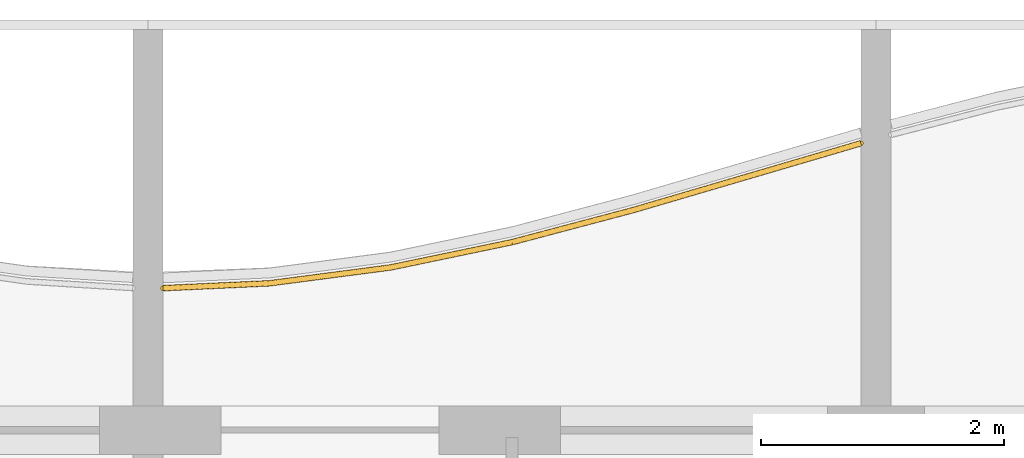
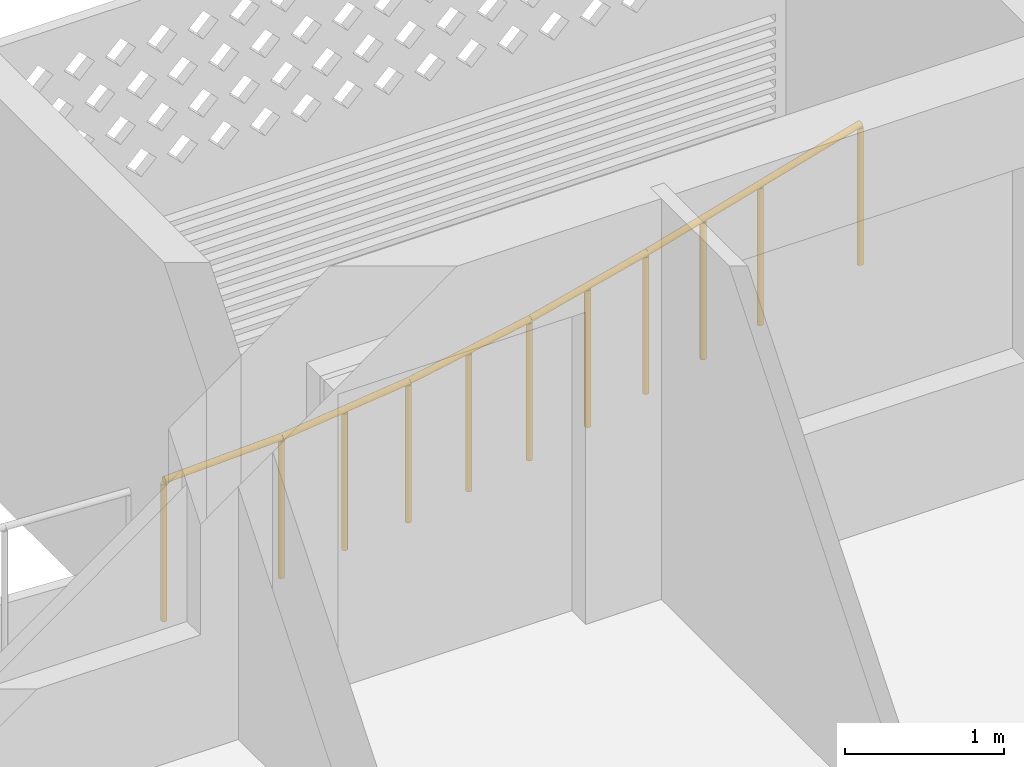
# One storey, part 25 of 28: 1 railing.
"""IFC4 building model written with IfcOpenShell, lengths in metres."""

from ifc_helpers import new_model, si_unit, direction, frame, origin, origin_2d, place, context, subcontext, project, spatial, circle, extrude, material, type_object, element, save


model = new_model("IFC4")

# Units and contexts
model_context = context("Model", 3, precision=1e-05, world=origin(), true_north=direction((0.0, 1.0)))
body_context = subcontext(model_context, "Body", "Model", "MODEL_VIEW")
ifc_project = project(units=[si_unit("LENGTHUNIT", "METRE"), si_unit("AREAUNIT", "SQUARE_METRE"), si_unit("VOLUMEUNIT", "CUBIC_METRE"), si_unit("PLANEANGLEUNIT", "RADIAN"), si_unit("MASSUNIT", "GRAM", prefix="KILO")], contexts=[model_context])

# Site, building, storey
site_placement = place(None, origin())
site = spatial("IfcSite", under=ifc_project, at=site_placement, CompositionType="ELEMENT")
building_placement = place(site_placement, origin())
building = spatial("IfcBuilding", under=site, at=building_placement, Name="Poui Terraces", CompositionType="ELEMENT")
storey_placement = place(building_placement, frame((0.0, 0.0, 188.39990234375)))
storey = spatial("IfcBuildingStorey", under=building, at=storey_placement, Name="L52", CompositionType="ELEMENT", Elevation=188.39990234375)

# Railing
ifc_material = material(Name="Painted steel fretwork", Category="steel")
railing_type = type_object("IfcRailingType", Name="BALCONY GUARD 1100", PredefinedType="GUARDRAIL", material=ifc_material)
railing_placement = place(storey_placement, frame((66.125, 42.3701171875, 0.0)))
element("IfcRailing", 1, at=railing_placement, inside=storey, type_object=railing_type, Name="BALCONY GUARD", PredefinedType="GUARDRAIL", context=body_context, shape_type="SweptSolid", body=[
    extrude(circle(Radius=0.02392578125, at=origin_2d()), frame((0.0, 0.0, 1.076171875), z_axis=(0.998954701489, 0.045711096832, 0.0), x_axis=(-0.045711096832, 0.998954701489, 0.0)), (0.0, 0.0, 1.0), 0.8759765625),
    extrude(circle(Radius=0.02392578125, at=origin_2d()), frame((0.875, 0.0400390625, 1.076171875), z_axis=(0.991546329967, 0.129753133023, 0.0), x_axis=(-0.129753133023, 0.991546329967, 0.0)), (0.0, 0.0, 1.0), 1.008544921875),
    extrude(circle(Radius=0.02392578125, at=origin_2d()), frame((1.875, 0.1708984375, 1.076171875), z_axis=(0.978996324432, 0.203877896665, 0.0), x_axis=(-0.203877896665, 0.978996324432, 0.0)), (0.0, 0.0, 1.0), 1.021484375),
    extrude(circle(Radius=0.02392578125, at=origin_2d()), frame((2.875, 0.379150390625, 1.076171875), z_axis=(0.966718963822, 0.255840663277, 0.0), x_axis=(-0.255840663277, 0.966718963822, 0.0)), (0.0, 0.0, 1.0), 1.034423828125),
    extrude(circle(Radius=0.02392578125, at=origin_2d()), frame((3.875, 0.643798828125, 1.076171875), z_axis=(0.959536917318, 0.281582855131, 0.0), x_axis=(-0.281582855131, 0.959536917318, 0.0)), (0.0, 0.0, 1.0), 1.042236328125),
    extrude(circle(Radius=0.02392578125, at=origin_2d()), frame((4.875, 0.937255859375, 1.076171875), z_axis=(0.959518831385, 0.281644478409, 0.0), x_axis=(-0.281644478409, 0.959518831385, 0.0)), (0.0, 0.0, 1.0), 0.911865234375),
    extrude(circle(Radius=0.02099609375, at=origin_2d()), origin(), (0.0, 0.0, 1.0), 1.052001953125),
    extrude(circle(Radius=0.02099609375, at=origin_2d()), frame((0.875, 0.0400390625, 0.0)), (0.0, 0.0, 1.0), 1.052001953125),
    extrude(circle(Radius=0.02099609375, at=origin_2d()), frame((1.375, 0.10546875, 0.0)), (0.0, 0.0, 1.0), 1.052001953125),
    extrude(circle(Radius=0.02099609375, at=origin_2d()), frame((1.875, 0.1708984375, 0.0)), (0.0, 0.0, 1.0), 1.052001953125),
    extrude(circle(Radius=0.02099609375, at=origin_2d()), frame((2.375, 0.27490234375, 0.0)), (0.0, 0.0, 1.0), 1.052001953125),
    extrude(circle(Radius=0.02099609375, at=origin_2d()), frame((2.875, 0.379150390625, 0.0)), (0.0, 0.0, 1.0), 1.052001953125),
    extrude(circle(Radius=0.02099609375, at=origin_2d()), frame((3.375, 0.511474609375, 0.0)), (0.0, 0.0, 1.0), 1.052001953125),
    extrude(circle(Radius=0.02099609375, at=origin_2d()), frame((3.875, 0.643798828125, 0.0)), (0.0, 0.0, 1.0), 1.052001953125),
    extrude(circle(Radius=0.02099609375, at=origin_2d()), frame((4.375, 0.79052734375, 0.0)), (0.0, 0.0, 1.0), 1.052001953125),
    extrude(circle(Radius=0.02099609375, at=origin_2d()), frame((4.875, 0.937255859375, 0.0)), (0.0, 0.0, 1.0), 1.052001953125),
    extrude(circle(Radius=0.02099609375, at=origin_2d()), frame((5.75, 1.194091796875, 0.0)), (0.0, 0.0, 1.0), 1.052001953125),
])

save(model, "model.ifc")
